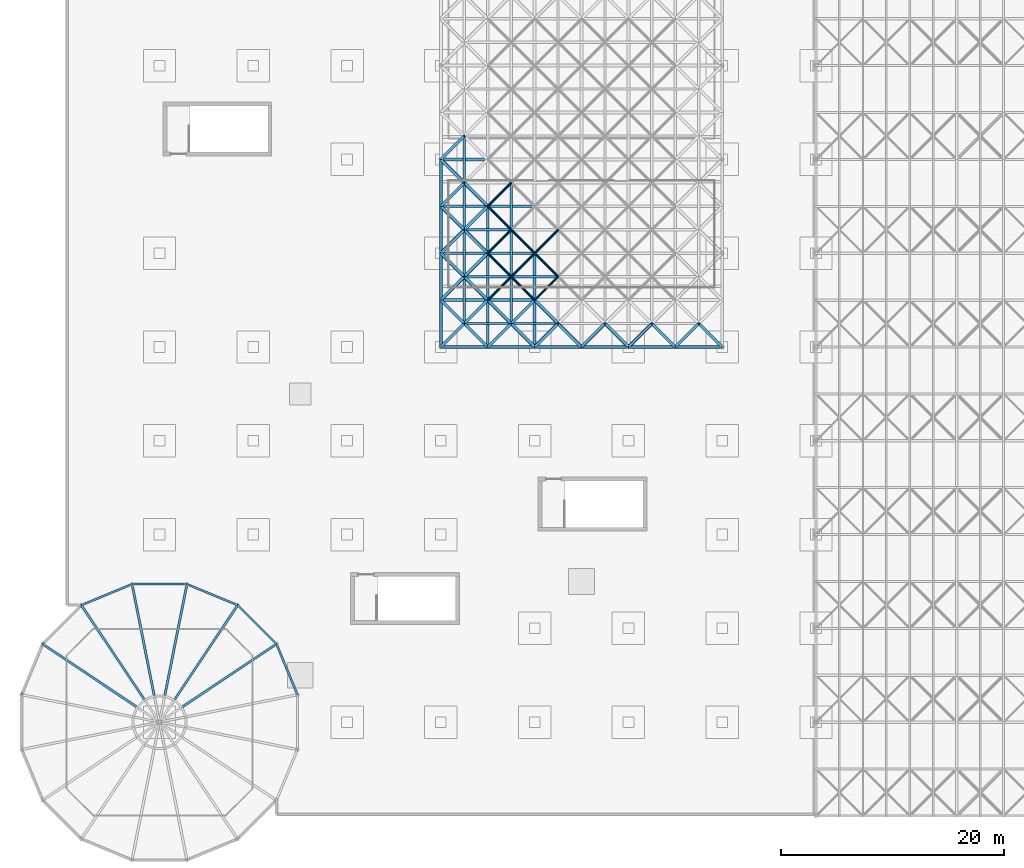
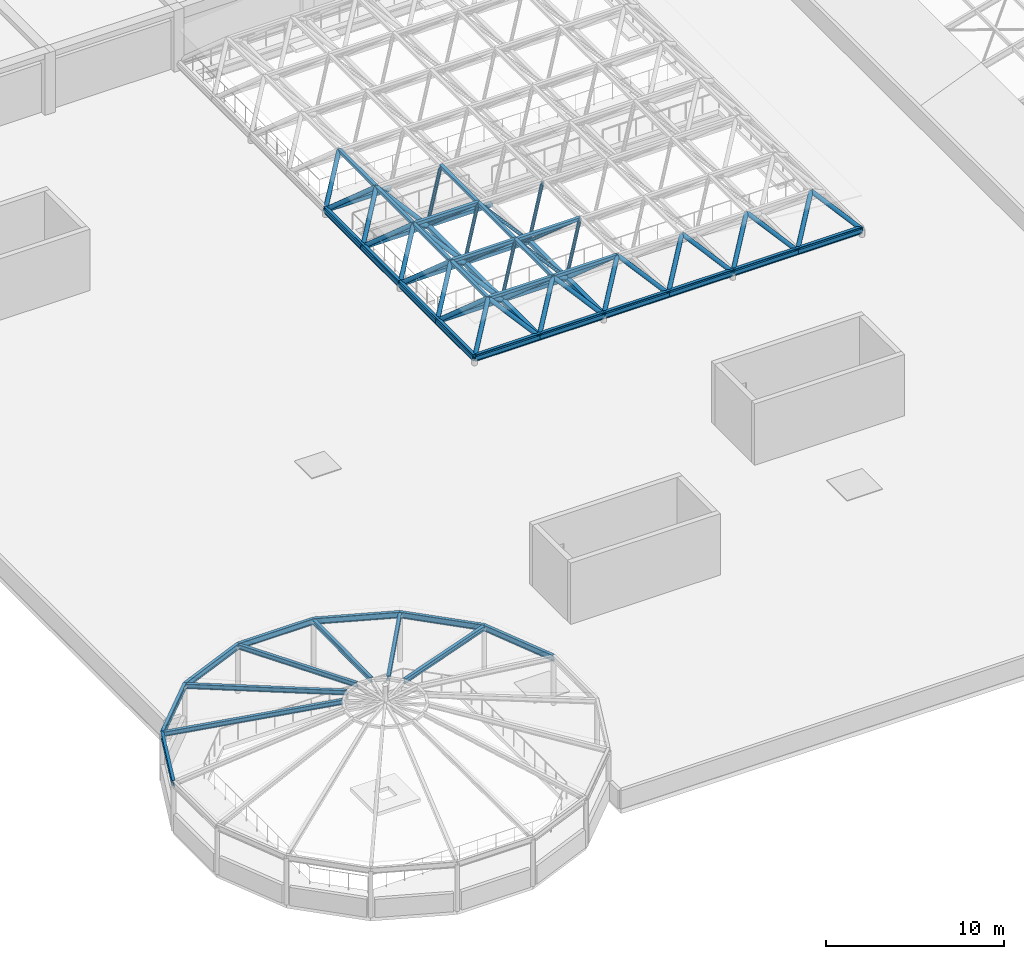
# One storey, part 15 of 85: 80 members, 12 beams.
"""IFC4 building model written with IfcOpenShell, lengths in metres."""

from ifc_helpers import new_model, si_unit, direction, frame, origin, origin_2d, place, context, subcontext, project, spatial, hollow_rectangle, hollow_circle, i_section, extrude, material, material_profile, profile_set, type_object, element, save


model = new_model("IFC4")

# Units and contexts
model_context = context("Model", 3, precision=1e-05, world=origin(), true_north=direction((0.0, 1.0)))
body_context = subcontext(model_context, "Body", "Model", "MODEL_VIEW")
ifc_project = project(units=[si_unit("LENGTHUNIT", "METRE"), si_unit("AREAUNIT", "SQUARE_METRE"), si_unit("VOLUMEUNIT", "CUBIC_METRE"), si_unit("PLANEANGLEUNIT", "RADIAN"), si_unit("MASSUNIT", "GRAM", prefix="KILO")], contexts=[model_context])

# Site, building, storey
site_placement = place(None, origin())
site = spatial("IfcSite", under=ifc_project, at=site_placement, CompositionType="ELEMENT")
building_placement = place(site_placement, origin())
building = spatial("IfcBuilding", under=site, at=building_placement, Name="Almacenes y Pasaje Nevantli", CompositionType="ELEMENT")
storey_placement = place(building_placement, frame((0.0, 0.0, 22.199951171875)))
storey = spatial("IfcBuildingStorey", under=building, at=storey_placement, Name="L05", CompositionType="ELEMENT", Elevation=22.199951171875)

# Beams
ifc_material_1 = material(Name="Steel ASTM A992", Category="steel")
ifc_material_profile_1 = material_profile(ifc_material_1, i_section(OverallWidth=0.180908203125, OverallDepth=0.406005859375, WebThickness=0.010986328125, FlangeThickness=0.018310546875, at=origin_2d()), Name="IR 406x85.0")
ifc_profile_set_1 = profile_set([ifc_material_profile_1], Name="Steel ASTM A992")
beam_type_1 = type_object("IfcBeamType", Name="BM-STL-IR-406x85p0", PredefinedType="BEAM", material=ifc_profile_set_1)
for number, where, z_axis, x_axis, name in (
    (1, (20.7578125, 10.858154296875, 3.199951171875), (-0.382682198272, 0.923880043688, 0.0), (-0.923880043688, -0.382682198272, 0.0), "Rotunda Lantern Dome Eave Ring Beam #1"),
    (2, (18.87646484375, 15.400146484375, 3.199951171875), (-0.707106781187, 0.707106781187, 0.0), (-0.707106781187, -0.707106781187, 0.0), "Rotunda Lantern Dome Eave Ring Beam #2"),
    (3, (15.400146484375, 18.87646484375, 3.199951171875), (-0.923880043688, 0.382682198272, 0.0), (-0.382682198272, -0.923880043688, 0.0), "Rotunda Lantern Dome Eave Ring Beam #3"),
    (4, (10.858154296875, 20.7578125, 3.199951171875), (-1.0, 0.0, 0.0), (0.0, -1.0, 0.0), "Rotunda Lantern Dome Eave Ring Beam #4"),
    (5, (5.94189453125, 20.7578125, 3.199951171875), (-0.923880043688, -0.382682198272, 0.0), (0.382682198272, -0.923880043688, 0.0), "Rotunda Lantern Dome Eave Ring Beam #5"),
    (6, (1.39990234375, 18.87646484375, 3.199951171875), (-0.707106781187, -0.707106781187, 0.0), (0.707106781187, -0.707106781187, 0.0), "Rotunda Lantern Dome Eave Ring Beam #6"),
    (7, (-2.076416015625, 15.400146484375, 3.199951171875), (-0.38272458482, -0.923862485532, 0.0), (0.923862485532, -0.38272458482, 0.0), "Rotunda Lantern Dome Eave Ring Beam #7"),
):
    element("IfcBeam", number, at=place(storey_placement, frame(where, z_axis=z_axis, x_axis=x_axis)), inside=storey, type_object=beam_type_1, Name=name, PredefinedType="BEAM", context=body_context, shape_type="SweptSolid", body=[
        extrude(i_section(OverallWidth=0.180908203125, OverallDepth=0.406005859375, WebThickness=0.010986328125, FlangeThickness=0.018310546875, at=origin_2d()), origin(), (0.0, 0.0, 1.0), 4.916259765625),
    ])
ifc_material_2 = material(Name="Steel ASTM A992", Category="steel")
ifc_material_profile_2 = material_profile(ifc_material_2, i_section(OverallWidth=0.193115234375, OverallDepth=0.4599609375, WebThickness=0.011474609375, FlangeThickness=0.01904296875, at=origin_2d()), Name="IR 457x96.7")
ifc_profile_set_2 = profile_set([ifc_material_profile_2], Name="Steel ASTM A992")
beam_type_2 = type_object("IfcBeamType", Name="BM-STL-IR-457x96p7", PredefinedType="BEAM", material=ifc_profile_set_2)
beam_1_placement = place(storey_placement, frame((33.60009765625, 42.0, 0.449951171875), z_axis=(0.0, 1.0, 0.0), x_axis=(-1.0, 0.0, 0.0)))
element("IfcBeam", 8, at=beam_1_placement, inside=storey, type_object=beam_type_2, Name="Atrium Skylight Perimeter Steel Eave Girder #1", PredefinedType="BEAM", context=body_context, shape_type="SweptSolid", body=[
    extrude(i_section(OverallWidth=0.193115234375, OverallDepth=0.4599609375, WebThickness=0.011474609375, FlangeThickness=0.01904296875, at=origin_2d()), origin(), (0.0, 0.0, 1.0), 8.39990234375),
])
beam_2_placement = place(storey_placement, frame((33.60009765625, 50.39990234375, 0.449951171875), z_axis=(0.0, 1.0, 0.0), x_axis=(-1.0, 0.0, 0.0)))
element("IfcBeam", 9, at=beam_2_placement, inside=storey, type_object=beam_type_2, Name="Atrium Skylight Perimeter Steel Eave Girder #2", PredefinedType="BEAM", context=body_context, shape_type="SweptSolid", body=[
    extrude(i_section(OverallWidth=0.193115234375, OverallDepth=0.4599609375, WebThickness=0.011474609375, FlangeThickness=0.01904296875, at=origin_2d()), origin(), (0.0, 0.0, 1.0), 8.400146484375),
])
for number, where, z_axis, x_axis, name in (
    (10, (33.60009765625, 42.0, 0.449951171875), (1.0, 0.0, 0.0), (0.0, 1.0, 0.0), "Atrium Skylight Perimeter Steel Eave Girder #9"),
    (11, (42.0, 42.0, 0.449951171875), (1.0, 0.0, 0.0), (0.0, 1.0, 0.0), "Atrium Skylight Perimeter Steel Eave Girder #10"),
):
    element("IfcBeam", number, at=place(storey_placement, frame(where, z_axis=z_axis, x_axis=x_axis)), inside=storey, type_object=beam_type_2, Name=name, PredefinedType="BEAM", context=body_context, shape_type="SweptSolid", body=[
        extrude(i_section(OverallWidth=0.193115234375, OverallDepth=0.4599609375, WebThickness=0.011474609375, FlangeThickness=0.01904296875, at=origin_2d()), origin(), (0.0, 0.0, 1.0), 8.39990234375),
    ])
beam_3_placement = place(storey_placement, frame((50.39990234375, 42.0, 0.449951171875), z_axis=(1.0, 0.0, 0.0), x_axis=(0.0, 1.0, 0.0)))
element("IfcBeam", 12, at=beam_3_placement, inside=storey, type_object=beam_type_2, Name="Atrium Skylight Perimeter Steel Eave Girder #11", PredefinedType="BEAM", context=body_context, shape_type="SweptSolid", body=[
    extrude(i_section(OverallWidth=0.193115234375, OverallDepth=0.4599609375, WebThickness=0.011474609375, FlangeThickness=0.01904296875, at=origin_2d()), origin(), (0.0, 0.0, 1.0), 8.400146484375),
])

# Members
ifc_material_3 = material(Name="Steel ASTM A992", Category="steel")
ifc_material_profile_3 = material_profile(ifc_material_3, i_section(OverallWidth=0.202880859375, OverallDepth=0.304931640625, WebThickness=0.007568359375, FlangeThickness=0.01318359375, at=origin_2d()), Name="IR 305x59.5")
ifc_profile_set_3 = profile_set([ifc_material_profile_3], Name="Steel ASTM A992")
member_type_1 = type_object("IfcMemberType", Name="MBR-ARCH-IR305x59", PredefinedType="USERDEFINED", material=ifc_profile_set_3)
for number, where, z_axis, x_axis, name in (
    (13, (18.87646484375, 15.400146484375, 3.199951171875), (-0.803783901724, -0.53706684734, 0.255911392512), (0.555567096845, -0.831471707819, 0.0), "Rotunda Lantern Dome Radial Rib #2"),
    (14, (15.400146484375, 18.87646484375, 3.199951171875), (-0.53706684734, -0.803783901724, 0.255911392512), (0.831471707819, -0.555567096845, 0.0), "Rotunda Lantern Dome Radial Rib #3"),
    (15, (10.858154296875, 20.7578125, 3.199951171875), (-0.188601999018, -0.948123605907, 0.255911926038), (0.980783600313, -0.195098768209, 0.0), "Rotunda Lantern Dome Radial Rib #4"),
    (16, (5.94189453125, 20.7578125, 3.199951171875), (0.188601999018, -0.948123605907, 0.255911926038), (0.980783600313, 0.195098768209, 0.0), "Rotunda Lantern Dome Radial Rib #5"),
    (17, (1.39990234375, 18.87646484375, 3.199951171875), (0.53706684734, -0.803783901724, 0.255911392512), (0.831471707819, 0.555567096845, 0.0), "Rotunda Lantern Dome Radial Rib #6"),
    (18, (-2.076416015625, 15.400146484375, 3.199951171875), (0.803783901724, -0.53706684734, 0.255911392512), (0.555567096845, 0.831471707819, 0.0), "Rotunda Lantern Dome Radial Rib #7"),
):
    element("IfcMember", number, at=place(storey_placement, frame(where, z_axis=z_axis, x_axis=x_axis)), inside=storey, type_object=member_type_1, Name=name, ObjectType="ARCH RIB", PredefinedType="USERDEFINED", context=body_context, shape_type="SweptSolid", body=[
        extrude(i_section(OverallWidth=0.202880859375, OverallDepth=0.304931640625, WebThickness=0.007568359375, FlangeThickness=0.01318359375, at=origin_2d()), origin(), (0.0, 0.0, 1.0), 10.55126953125),
    ])
ifc_material_4 = material(Name="Steel ASTM A500 Grade C", Category="steel")
ifc_material_profile_4 = material_profile(ifc_material_4, hollow_circle(Radius=0.109619140625, WallThickness=0.00830078125, at=origin_2d()), Name="OC 219x8.2")
ifc_profile_set_4 = profile_set([ifc_material_profile_4], Name="Steel ASTM A500 Grade C")
member_type_2 = type_object("IfcMemberType", Name="MBR-BRC-OC219", PredefinedType="BRACE", material=ifc_profile_set_4)
for number, where, z_axis, x_axis, name in (
    (19, (37.800048828125, 46.199951171875, 0.449951171875), (0.57730552116, 0.577372641904, 0.577372641904), (-0.707147883682, 0.707065676302, 0.0), "Atrium Skylight Space Frame Diagonal Web #164"),
    (20, (42.0, 46.199951171875, 0.449951171875), (-0.57735026919, 0.57735026919, 0.57735026919), (-0.707106781187, -0.707106781187, 0.0), "Atrium Skylight Space Frame Diagonal Web #165"),
    (21, (42.0, 50.39990234375, 0.449951171875), (-0.577372641904, -0.57730552116, 0.577372641904), (0.707065676302, -0.707147883682, 0.0), "Atrium Skylight Space Frame Diagonal Web #166"),
):
    element("IfcMember", number, at=place(storey_placement, frame(where, z_axis=z_axis, x_axis=x_axis)), inside=storey, type_object=member_type_2, Name=name, PredefinedType="BRACE", context=body_context, shape_type="SweptSolid", body=[
        extrude(hollow_circle(Radius=0.109619140625, WallThickness=0.00830078125, at=origin_2d()), origin(), (0.0, 0.0, 1.0), 3.637451171875),
    ])
member_1_placement = place(storey_placement, frame((37.800048828125, 50.39990234375, 0.449951171875), z_axis=(0.577327893874, -0.577327893874, 0.577395017219), x_axis=(0.707106781187, 0.707106781187, 0.0)))
element("IfcMember", 22, at=member_1_placement, inside=storey, type_object=member_type_2, Name="Atrium Skylight Space Frame Diagonal Web #167", PredefinedType="BRACE", context=body_context, shape_type="SweptSolid", body=[
    extrude(hollow_circle(Radius=0.109619140625, WallThickness=0.00830078125, at=origin_2d()), origin(), (0.0, 0.0, 1.0), 3.63720703125),
])
for number, where, z_axis, x_axis, name in (
    (23, (37.800048828125, 50.39990234375, 0.449951171875), (0.57730552116, 0.577372641904, 0.577372641904), (-0.707147883682, 0.707065676302, 0.0), "Atrium Skylight Space Frame Diagonal Web #170"),
    (24, (42.0, 50.39990234375, 0.449951171875), (-0.57735026919, 0.57735026919, 0.57735026919), (-0.707106781187, -0.707106781187, 0.0), "Atrium Skylight Space Frame Diagonal Web #171"),
    (25, (37.800048828125, 54.60009765625, 0.449951171875), (0.57730552116, -0.577372641904, 0.577372641904), (0.707147883682, 0.707065676302, 0.0), "Atrium Skylight Space Frame Diagonal Web #173"),
):
    element("IfcMember", number, at=place(storey_placement, frame(where, z_axis=z_axis, x_axis=x_axis)), inside=storey, type_object=member_type_2, Name=name, PredefinedType="BRACE", context=body_context, shape_type="SweptSolid", body=[
        extrude(hollow_circle(Radius=0.109619140625, WallThickness=0.00830078125, at=origin_2d()), origin(), (0.0, 0.0, 1.0), 3.637451171875),
    ])
member_2_placement = place(storey_placement, frame((37.800048828125, 54.60009765625, 0.449951171875), z_axis=(0.577327893874, 0.577327893874, 0.577395017219), x_axis=(-0.707106781187, 0.707106781187, 0.0)))
element("IfcMember", 26, at=member_2_placement, inside=storey, type_object=member_type_2, Name="Atrium Skylight Space Frame Diagonal Web #176", PredefinedType="BRACE", context=body_context, shape_type="SweptSolid", body=[
    extrude(hollow_circle(Radius=0.109619140625, WallThickness=0.00830078125, at=origin_2d()), origin(), (0.0, 0.0, 1.0), 3.63720703125),
])
for number, where, z_axis, x_axis, name in (
    (27, (42.0, 46.199951171875, 0.449951171875), (0.57735026919, 0.57735026919, 0.57735026919), (-0.707106781187, 0.707106781187, 0.0), "Atrium Skylight Space Frame Diagonal Web #211"),
    (28, (42.0, 50.39990234375, 0.449951171875), (0.577372641904, -0.57730552116, 0.577372641904), (0.707065676302, 0.707147883682, 0.0), "Atrium Skylight Space Frame Diagonal Web #214"),
    (29, (42.0, 50.39990234375, 0.449951171875), (0.57735026919, 0.57735026919, 0.57735026919), (-0.707106781187, 0.707106781187, 0.0), "Atrium Skylight Space Frame Diagonal Web #217"),
):
    element("IfcMember", number, at=place(storey_placement, frame(where, z_axis=z_axis, x_axis=x_axis)), inside=storey, type_object=member_type_2, Name=name, PredefinedType="BRACE", context=body_context, shape_type="SweptSolid", body=[
        extrude(hollow_circle(Radius=0.109619140625, WallThickness=0.00830078125, at=origin_2d()), origin(), (0.0, 0.0, 1.0), 3.637451171875),
    ])
ifc_material_5 = material(Name="Steel ASTM A500 Grade C", Category="steel")
ifc_material_profile_5 = material_profile(ifc_material_5, hollow_circle(Radius=0.136474609375, WallThickness=0.00927734375, at=origin_2d()), Name="OC 273x9.3")
ifc_profile_set_5 = profile_set([ifc_material_profile_5], Name="Steel ASTM A500 Grade C")
member_type_3 = type_object("IfcMemberType", Name="MBR-BRC-OC273", PredefinedType="BRACE", material=ifc_profile_set_5)
for number, where, z_axis, x_axis, name in (
    (30, (33.60009765625, 42.0, 0.449951171875), (0.57730552116, 0.577372641904, 0.577372641904), (-0.707147883682, 0.707065676302, 0.0), "Atrium Skylight Space Frame Diagonal Web #111"),
    (31, (37.800048828125, 42.0, 0.449951171875), (-0.57735026919, 0.57735026919, 0.57735026919), (-0.707106781187, -0.707106781187, 0.0), "Atrium Skylight Space Frame Diagonal Web #112"),
    (32, (37.800048828125, 46.199951171875, 0.449951171875), (-0.577372641904, -0.57730552116, 0.577372641904), (0.707065676302, -0.707147883682, 0.0), "Atrium Skylight Space Frame Diagonal Web #113"),
):
    element("IfcMember", number, at=place(storey_placement, frame(where, z_axis=z_axis, x_axis=x_axis)), inside=storey, type_object=member_type_3, Name=name, PredefinedType="BRACE", context=body_context, shape_type="SweptSolid", body=[
        extrude(hollow_circle(Radius=0.136474609375, WallThickness=0.00927734375, at=origin_2d()), origin(), (0.0, 0.0, 1.0), 3.637451171875),
    ])
member_3_placement = place(storey_placement, frame((33.60009765625, 46.199951171875, 0.449951171875), z_axis=(0.577327893874, -0.577327893874, 0.577395017219), x_axis=(0.707106781187, 0.707106781187, 0.0)))
element("IfcMember", 33, at=member_3_placement, inside=storey, type_object=member_type_3, Name="Atrium Skylight Space Frame Diagonal Web #114", PredefinedType="BRACE", context=body_context, shape_type="SweptSolid", body=[
    extrude(hollow_circle(Radius=0.136474609375, WallThickness=0.00927734375, at=origin_2d()), origin(), (0.0, 0.0, 1.0), 3.63720703125),
])
for number, where, z_axis, x_axis, name in (
    (34, (33.60009765625, 46.199951171875, 0.449951171875), (0.57730552116, 0.577372641904, 0.577372641904), (-0.707147883682, 0.707065676302, 0.0), "Atrium Skylight Space Frame Diagonal Web #117"),
    (35, (37.800048828125, 46.199951171875, 0.449951171875), (-0.57735026919, 0.57735026919, 0.57735026919), (-0.707106781187, -0.707106781187, 0.0), "Atrium Skylight Space Frame Diagonal Web #118"),
    (36, (37.800048828125, 50.39990234375, 0.449951171875), (-0.577372641904, -0.57730552116, 0.577372641904), (0.707065676302, -0.707147883682, 0.0), "Atrium Skylight Space Frame Diagonal Web #119"),
):
    element("IfcMember", number, at=place(storey_placement, frame(where, z_axis=z_axis, x_axis=x_axis)), inside=storey, type_object=member_type_3, Name=name, PredefinedType="BRACE", context=body_context, shape_type="SweptSolid", body=[
        extrude(hollow_circle(Radius=0.136474609375, WallThickness=0.00927734375, at=origin_2d()), origin(), (0.0, 0.0, 1.0), 3.637451171875),
    ])
member_4_placement = place(storey_placement, frame((33.60009765625, 50.39990234375, 0.449951171875), z_axis=(0.577327893874, -0.577327893874, 0.577395017219), x_axis=(0.707106781187, 0.707106781187, 0.0)))
element("IfcMember", 37, at=member_4_placement, inside=storey, type_object=member_type_3, Name="Atrium Skylight Space Frame Diagonal Web #120", PredefinedType="BRACE", context=body_context, shape_type="SweptSolid", body=[
    extrude(hollow_circle(Radius=0.136474609375, WallThickness=0.00927734375, at=origin_2d()), origin(), (0.0, 0.0, 1.0), 3.63720703125),
])
for number, where, z_axis, x_axis, name in (
    (38, (33.60009765625, 50.39990234375, 0.449951171875), (0.57730552116, 0.577372641904, 0.577372641904), (-0.707147883682, 0.707065676302, 0.0), "Atrium Skylight Space Frame Diagonal Web #123"),
    (39, (37.800048828125, 50.39990234375, 0.449951171875), (-0.57735026919, 0.57735026919, 0.57735026919), (-0.707106781187, -0.707106781187, 0.0), "Atrium Skylight Space Frame Diagonal Web #124"),
    (40, (37.800048828125, 54.60009765625, 0.449951171875), (-0.57735026919, -0.57735026919, 0.57735026919), (0.707106781187, -0.707106781187, 0.0), "Atrium Skylight Space Frame Diagonal Web #125"),
    (41, (33.60009765625, 54.60009765625, 0.449951171875), (0.57730552116, -0.577372641904, 0.577372641904), (0.707147883682, 0.707065676302, 0.0), "Atrium Skylight Space Frame Diagonal Web #126"),
):
    element("IfcMember", number, at=place(storey_placement, frame(where, z_axis=z_axis, x_axis=x_axis)), inside=storey, type_object=member_type_3, Name=name, PredefinedType="BRACE", context=body_context, shape_type="SweptSolid", body=[
        extrude(hollow_circle(Radius=0.136474609375, WallThickness=0.00927734375, at=origin_2d()), origin(), (0.0, 0.0, 1.0), 3.637451171875),
    ])
member_5_placement = place(storey_placement, frame((33.60009765625, 54.60009765625, 0.449951171875), z_axis=(0.577327893874, 0.577327893874, 0.577395017219), x_axis=(-0.707106781187, 0.707106781187, 0.0)))
element("IfcMember", 42, at=member_5_placement, inside=storey, type_object=member_type_3, Name="Atrium Skylight Space Frame Diagonal Web #129", PredefinedType="BRACE", context=body_context, shape_type="SweptSolid", body=[
    extrude(hollow_circle(Radius=0.136474609375, WallThickness=0.00927734375, at=origin_2d()), origin(), (0.0, 0.0, 1.0), 3.63720703125),
])
for number, where, z_axis, x_axis, name in (
    (43, (37.800048828125, 54.60009765625, 0.449951171875), (-0.577372641904, 0.57730552116, 0.577372641904), (-0.707065676302, -0.707147883682, 0.0), "Atrium Skylight Space Frame Diagonal Web #130"),
    (44, (33.60009765625, 58.800048828125, 0.449951171875), (0.57730552116, -0.577372641904, 0.577372641904), (0.707147883682, 0.707065676302, 0.0), "Atrium Skylight Space Frame Diagonal Web #132"),
):
    element("IfcMember", number, at=place(storey_placement, frame(where, z_axis=z_axis, x_axis=x_axis)), inside=storey, type_object=member_type_3, Name=name, PredefinedType="BRACE", context=body_context, shape_type="SweptSolid", body=[
        extrude(hollow_circle(Radius=0.136474609375, WallThickness=0.00927734375, at=origin_2d()), origin(), (0.0, 0.0, 1.0), 3.637451171875),
    ])
member_6_placement = place(storey_placement, frame((33.60009765625, 58.800048828125, 0.449951171875), z_axis=(0.577327893874, 0.577327893874, 0.577395017219), x_axis=(-0.707106781187, 0.707106781187, 0.0)))
element("IfcMember", 45, at=member_6_placement, inside=storey, type_object=member_type_3, Name="Atrium Skylight Space Frame Diagonal Web #135", PredefinedType="BRACE", context=body_context, shape_type="SweptSolid", body=[
    extrude(hollow_circle(Radius=0.136474609375, WallThickness=0.00927734375, at=origin_2d()), origin(), (0.0, 0.0, 1.0), 3.63720703125),
])
for number, where, z_axis, x_axis, name in (
    (46, (37.800048828125, 42.0, 0.449951171875), (0.57730552116, 0.577372641904, 0.577372641904), (-0.707147883682, 0.707065676302, 0.0), "Atrium Skylight Space Frame Diagonal Web #158"),
    (47, (42.0, 42.0, 0.449951171875), (-0.57735026919, 0.57735026919, 0.57735026919), (-0.707106781187, -0.707106781187, 0.0), "Atrium Skylight Space Frame Diagonal Web #159"),
    (48, (42.0, 46.199951171875, 0.449951171875), (-0.577372641904, -0.57730552116, 0.577372641904), (0.707065676302, -0.707147883682, 0.0), "Atrium Skylight Space Frame Diagonal Web #160"),
):
    element("IfcMember", number, at=place(storey_placement, frame(where, z_axis=z_axis, x_axis=x_axis)), inside=storey, type_object=member_type_3, Name=name, PredefinedType="BRACE", context=body_context, shape_type="SweptSolid", body=[
        extrude(hollow_circle(Radius=0.136474609375, WallThickness=0.00927734375, at=origin_2d()), origin(), (0.0, 0.0, 1.0), 3.637451171875),
    ])
member_7_placement = place(storey_placement, frame((37.800048828125, 46.199951171875, 0.449951171875), z_axis=(0.577327893874, -0.577327893874, 0.577395017219), x_axis=(0.707106781187, 0.707106781187, 0.0)))
element("IfcMember", 49, at=member_7_placement, inside=storey, type_object=member_type_3, Name="Atrium Skylight Space Frame Diagonal Web #161", PredefinedType="BRACE", context=body_context, shape_type="SweptSolid", body=[
    extrude(hollow_circle(Radius=0.136474609375, WallThickness=0.00927734375, at=origin_2d()), origin(), (0.0, 0.0, 1.0), 3.63720703125),
])
for number, where, z_axis, x_axis, name in (
    (50, (42.0, 42.0, 0.449951171875), (0.57735026919, 0.57735026919, 0.57735026919), (-0.707106781187, 0.707106781187, 0.0), "Atrium Skylight Space Frame Diagonal Web #205"),
    (51, (46.199951171875, 42.0, 0.449951171875), (-0.57730552116, 0.577372641904, 0.577372641904), (-0.707147883682, -0.707065676302, 0.0), "Atrium Skylight Space Frame Diagonal Web #206"),
    (52, (42.0, 46.199951171875, 0.449951171875), (0.577372641904, -0.57730552116, 0.577372641904), (0.707065676302, 0.707147883682, 0.0), "Atrium Skylight Space Frame Diagonal Web #208"),
    (53, (46.199951171875, 42.0, 0.449951171875), (0.57735026919, 0.57735026919, 0.57735026919), (-0.707106781187, 0.707106781187, 0.0), "Atrium Skylight Space Frame Diagonal Web #252"),
    (54, (50.39990234375, 42.0, 0.449951171875), (-0.57730552116, 0.577372641904, 0.577372641904), (-0.707147883682, -0.707065676302, 0.0), "Atrium Skylight Space Frame Diagonal Web #253"),
    (55, (50.39990234375, 42.0, 0.449951171875), (0.57735026919, 0.57735026919, 0.57735026919), (-0.707106781187, 0.707106781187, 0.0), "Atrium Skylight Space Frame Diagonal Web #299"),
    (56, (54.60009765625, 42.0, 0.449951171875), (-0.57735026919, 0.57735026919, 0.57735026919), (-0.707106781187, -0.707106781187, 0.0), "Atrium Skylight Space Frame Diagonal Web #300"),
    (57, (54.60009765625, 42.0, 0.449951171875), (0.57730552116, 0.577372641904, 0.577372641904), (-0.707147883682, 0.707065676302, 0.0), "Atrium Skylight Space Frame Diagonal Web #346"),
    (58, (58.800048828125, 42.0, 0.449951171875), (-0.57735026919, 0.57735026919, 0.57735026919), (-0.707106781187, -0.707106781187, 0.0), "Atrium Skylight Space Frame Diagonal Web #347"),
):
    element("IfcMember", number, at=place(storey_placement, frame(where, z_axis=z_axis, x_axis=x_axis)), inside=storey, type_object=member_type_3, Name=name, PredefinedType="BRACE", context=body_context, shape_type="SweptSolid", body=[
        extrude(hollow_circle(Radius=0.136474609375, WallThickness=0.00927734375, at=origin_2d()), origin(), (0.0, 0.0, 1.0), 3.637451171875),
    ])
ifc_material_6 = material(Name="Steel ASTM A500 Grade C", Category="steel")
ifc_material_profile_6 = material_profile(ifc_material_6, hollow_rectangle(XDim=0.203125, YDim=0.203125, WallThickness=0.009521484375, at=origin_2d()), Name="OR 203x203x9.5")
ifc_profile_set_6 = profile_set([ifc_material_profile_6], Name="Steel ASTM A500 Grade C")
member_type_4 = type_object("IfcMemberType", Name="MBR-BRC-OR203", PredefinedType="BRACE", material=ifc_profile_set_6)
for number, where, z_axis, x_axis, name in (
    (59, (35.699951171875, 44.10009765625, 2.550048828125), (1.0, 0.0, 0.0), (0.0, 1.0, 0.0), "Atrium Skylight Space Frame Top Chord X #115"),
    (60, (35.699951171875, 44.10009765625, 2.550048828125), (0.0, 1.0, 0.0), (-1.0, 0.0, 0.0), "Atrium Skylight Space Frame Top Chord Y #116"),
    (61, (35.699951171875, 48.300048828125, 2.550048828125), (1.0, 0.0, 0.0), (0.0, 1.0, 0.0), "Atrium Skylight Space Frame Top Chord X #121"),
    (62, (35.699951171875, 48.300048828125, 2.550048828125), (0.0, 1.0, 0.0), (-1.0, 0.0, 0.0), "Atrium Skylight Space Frame Top Chord Y #122"),
    (63, (35.699951171875, 52.5, 2.550048828125), (1.0, 0.0, 0.0), (0.0, 1.0, 0.0), "Atrium Skylight Space Frame Top Chord X #127"),
    (64, (35.699951171875, 52.5, 2.550048828125), (0.0, 1.0, 0.0), (-1.0, 0.0, 0.0), "Atrium Skylight Space Frame Top Chord Y #128"),
    (65, (35.699951171875, 56.699951171875, 2.550048828125), (0.0, 1.0, 0.0), (-1.0, 0.0, 0.0), "Atrium Skylight Space Frame Top Chord Y #134"),
):
    element("IfcMember", number, at=place(storey_placement, frame(where, z_axis=z_axis, x_axis=x_axis)), inside=storey, type_object=member_type_4, Name=name, PredefinedType="BRACE", context=body_context, shape_type="SweptSolid", body=[
        extrude(hollow_rectangle(XDim=0.203125, YDim=0.203125, WallThickness=0.009521484375, at=origin_2d()), origin(), (0.0, 0.0, 1.0), 4.199951171875),
    ])
member_8_placement = place(storey_placement, frame((39.89990234375, 44.10009765625, 2.550048828125), z_axis=(1.0, 0.0, 0.0), x_axis=(0.0, 1.0, 0.0)))
element("IfcMember", 66, at=member_8_placement, inside=storey, type_object=member_type_4, Name="Atrium Skylight Space Frame Top Chord X #162", PredefinedType="BRACE", context=body_context, shape_type="SweptSolid", body=[
    extrude(hollow_rectangle(XDim=0.203125, YDim=0.203125, WallThickness=0.009521484375, at=origin_2d()), origin(), (0.0, 0.0, 1.0), 4.2001953125),
])
member_9_placement = place(storey_placement, frame((39.89990234375, 44.10009765625, 2.550048828125), z_axis=(0.0, 1.0, 0.0), x_axis=(-1.0, 0.0, 0.0)))
element("IfcMember", 67, at=member_9_placement, inside=storey, type_object=member_type_4, Name="Atrium Skylight Space Frame Top Chord Y #163", PredefinedType="BRACE", context=body_context, shape_type="SweptSolid", body=[
    extrude(hollow_rectangle(XDim=0.203125, YDim=0.203125, WallThickness=0.009521484375, at=origin_2d()), origin(), (0.0, 0.0, 1.0), 4.199951171875),
])
member_10_placement = place(storey_placement, frame((39.89990234375, 48.300048828125, 2.550048828125), z_axis=(1.0, 0.0, 0.0), x_axis=(0.0, 1.0, 0.0)))
element("IfcMember", 68, at=member_10_placement, inside=storey, type_object=member_type_4, Name="Atrium Skylight Space Frame Top Chord X #168", PredefinedType="BRACE", context=body_context, shape_type="SweptSolid", body=[
    extrude(hollow_rectangle(XDim=0.203125, YDim=0.203125, WallThickness=0.009521484375, at=origin_2d()), origin(), (0.0, 0.0, 1.0), 4.2001953125),
])
for number, where, z_axis, x_axis, name in (
    (69, (39.89990234375, 48.300048828125, 2.550048828125), (0.0, 1.0, 0.0), (-1.0, 0.0, 0.0), "Atrium Skylight Space Frame Top Chord Y #169"),
    (70, (39.89990234375, 52.5, 2.550048828125), (0.0, 1.0, 0.0), (-1.0, 0.0, 0.0), "Atrium Skylight Space Frame Top Chord Y #175"),
):
    element("IfcMember", number, at=place(storey_placement, frame(where, z_axis=z_axis, x_axis=x_axis)), inside=storey, type_object=member_type_4, Name=name, PredefinedType="BRACE", context=body_context, shape_type="SweptSolid", body=[
        extrude(hollow_rectangle(XDim=0.203125, YDim=0.203125, WallThickness=0.009521484375, at=origin_2d()), origin(), (0.0, 0.0, 1.0), 4.199951171875),
    ])
ifc_material_7 = material(Name="Steel ASTM A500 Grade C", Category="steel")
ifc_material_profile_7 = material_profile(ifc_material_7, hollow_rectangle(XDim=0.25390625, YDim=0.25390625, WallThickness=0.009521484375, at=origin_2d()), Name="OR 254x254x9.5")
ifc_profile_set_7 = profile_set([ifc_material_profile_7], Name="Steel ASTM A500 Grade C")
member_type_5 = type_object("IfcMemberType", Name="MBR-BRC-OR254", PredefinedType="BRACE", material=ifc_profile_set_7)
for number, where, z_axis, x_axis, name in (
    (71, (33.60009765625, 42.0, 0.449951171875), (0.0, 1.0, 0.0), (-1.0, 0.0, 0.0), "Atrium Skylight Space Frame Bottom Chord #1"),
    (72, (33.60009765625, 46.199951171875, 0.449951171875), (0.0, 1.0, 0.0), (-1.0, 0.0, 0.0), "Atrium Skylight Space Frame Bottom Chord #2"),
):
    element("IfcMember", number, at=place(storey_placement, frame(where, z_axis=z_axis, x_axis=x_axis)), inside=storey, type_object=member_type_5, Name=name, PredefinedType="BRACE", context=body_context, shape_type="SweptSolid", body=[
        extrude(hollow_rectangle(XDim=0.25390625, YDim=0.25390625, WallThickness=0.009521484375, at=origin_2d()), origin(), (0.0, 0.0, 1.0), 4.199951171875),
    ])
member_11_placement = place(storey_placement, frame((33.60009765625, 50.39990234375, 0.449951171875), z_axis=(0.0, 1.0, 0.0), x_axis=(-1.0, 0.0, 0.0)))
element("IfcMember", 73, at=member_11_placement, inside=storey, type_object=member_type_5, Name="Atrium Skylight Space Frame Bottom Chord #3", PredefinedType="BRACE", context=body_context, shape_type="SweptSolid", body=[
    extrude(hollow_rectangle(XDim=0.25390625, YDim=0.25390625, WallThickness=0.009521484375, at=origin_2d()), origin(), (0.0, 0.0, 1.0), 4.2001953125),
])
for number, where, z_axis, x_axis, name in (
    (74, (33.60009765625, 54.60009765625, 0.449951171875), (0.0, 1.0, 0.0), (-1.0, 0.0, 0.0), "Atrium Skylight Space Frame Bottom Chord #4"),
    (75, (37.800048828125, 42.0, 0.449951171875), (0.0, 1.0, 0.0), (-1.0, 0.0, 0.0), "Atrium Skylight Space Frame Bottom Chord #9"),
    (76, (37.800048828125, 46.199951171875, 0.449951171875), (0.0, 1.0, 0.0), (-1.0, 0.0, 0.0), "Atrium Skylight Space Frame Bottom Chord #10"),
):
    element("IfcMember", number, at=place(storey_placement, frame(where, z_axis=z_axis, x_axis=x_axis)), inside=storey, type_object=member_type_5, Name=name, PredefinedType="BRACE", context=body_context, shape_type="SweptSolid", body=[
        extrude(hollow_rectangle(XDim=0.25390625, YDim=0.25390625, WallThickness=0.009521484375, at=origin_2d()), origin(), (0.0, 0.0, 1.0), 4.199951171875),
    ])
member_12_placement = place(storey_placement, frame((37.800048828125, 50.39990234375, 0.449951171875), z_axis=(0.0, 1.0, 0.0), x_axis=(-1.0, 0.0, 0.0)))
element("IfcMember", 77, at=member_12_placement, inside=storey, type_object=member_type_5, Name="Atrium Skylight Space Frame Bottom Chord #11", PredefinedType="BRACE", context=body_context, shape_type="SweptSolid", body=[
    extrude(hollow_rectangle(XDim=0.25390625, YDim=0.25390625, WallThickness=0.009521484375, at=origin_2d()), origin(), (0.0, 0.0, 1.0), 4.2001953125),
])
for number, where, z_axis, x_axis, name in (
    (78, (42.0, 42.0, 0.449951171875), (0.0, 1.0, 0.0), (-1.0, 0.0, 0.0), "Atrium Skylight Space Frame Bottom Chord #17"),
    (79, (42.0, 46.199951171875, 0.449951171875), (0.0, 1.0, 0.0), (-1.0, 0.0, 0.0), "Atrium Skylight Space Frame Bottom Chord #18"),
    (80, (33.60009765625, 42.0, 0.449951171875), (1.0, 0.0, 0.0), (0.0, 1.0, 0.0), "Atrium Skylight Space Frame Bottom Cross Chord #57"),
    (81, (37.800048828125, 42.0, 0.449951171875), (1.0, 0.0, 0.0), (0.0, 1.0, 0.0), "Atrium Skylight Space Frame Bottom Cross Chord #58"),
    (82, (42.0, 42.0, 0.449951171875), (1.0, 0.0, 0.0), (0.0, 1.0, 0.0), "Atrium Skylight Space Frame Bottom Cross Chord #59"),
    (83, (46.199951171875, 42.0, 0.449951171875), (1.0, 0.0, 0.0), (0.0, 1.0, 0.0), "Atrium Skylight Space Frame Bottom Cross Chord #60"),
):
    element("IfcMember", number, at=place(storey_placement, frame(where, z_axis=z_axis, x_axis=x_axis)), inside=storey, type_object=member_type_5, Name=name, PredefinedType="BRACE", context=body_context, shape_type="SweptSolid", body=[
        extrude(hollow_rectangle(XDim=0.25390625, YDim=0.25390625, WallThickness=0.009521484375, at=origin_2d()), origin(), (0.0, 0.0, 1.0), 4.199951171875),
    ])
member_13_placement = place(storey_placement, frame((50.39990234375, 42.0, 0.449951171875), z_axis=(1.0, 0.0, 0.0), x_axis=(0.0, 1.0, 0.0)))
element("IfcMember", 84, at=member_13_placement, inside=storey, type_object=member_type_5, Name="Atrium Skylight Space Frame Bottom Cross Chord #61", PredefinedType="BRACE", context=body_context, shape_type="SweptSolid", body=[
    extrude(hollow_rectangle(XDim=0.25390625, YDim=0.25390625, WallThickness=0.009521484375, at=origin_2d()), origin(), (0.0, 0.0, 1.0), 4.2001953125),
])
for number, where, z_axis, x_axis, name in (
    (85, (54.60009765625, 42.0, 0.449951171875), (1.0, 0.0, 0.0), (0.0, 1.0, 0.0), "Atrium Skylight Space Frame Bottom Cross Chord #62"),
    (86, (33.60009765625, 46.199951171875, 0.449951171875), (1.0, 0.0, 0.0), (0.0, 1.0, 0.0), "Atrium Skylight Space Frame Bottom Cross Chord #63"),
    (87, (37.800048828125, 46.199951171875, 0.449951171875), (1.0, 0.0, 0.0), (0.0, 1.0, 0.0), "Atrium Skylight Space Frame Bottom Cross Chord #64"),
    (88, (33.60009765625, 50.39990234375, 0.449951171875), (1.0, 0.0, 0.0), (0.0, 1.0, 0.0), "Atrium Skylight Space Frame Bottom Cross Chord #69"),
    (89, (37.800048828125, 50.39990234375, 0.449951171875), (1.0, 0.0, 0.0), (0.0, 1.0, 0.0), "Atrium Skylight Space Frame Bottom Cross Chord #70"),
    (90, (33.60009765625, 54.60009765625, 0.449951171875), (1.0, 0.0, 0.0), (0.0, 1.0, 0.0), "Atrium Skylight Space Frame Bottom Cross Chord #75"),
    (91, (37.800048828125, 54.60009765625, 0.449951171875), (1.0, 0.0, 0.0), (0.0, 1.0, 0.0), "Atrium Skylight Space Frame Bottom Cross Chord #76"),
    (92, (33.60009765625, 58.800048828125, 0.449951171875), (1.0, 0.0, 0.0), (0.0, 1.0, 0.0), "Atrium Skylight Space Frame Bottom Cross Chord #81"),
):
    element("IfcMember", number, at=place(storey_placement, frame(where, z_axis=z_axis, x_axis=x_axis)), inside=storey, type_object=member_type_5, Name=name, PredefinedType="BRACE", context=body_context, shape_type="SweptSolid", body=[
        extrude(hollow_rectangle(XDim=0.25390625, YDim=0.25390625, WallThickness=0.009521484375, at=origin_2d()), origin(), (0.0, 0.0, 1.0), 4.199951171875),
    ])

save(model, "model.ifc")
